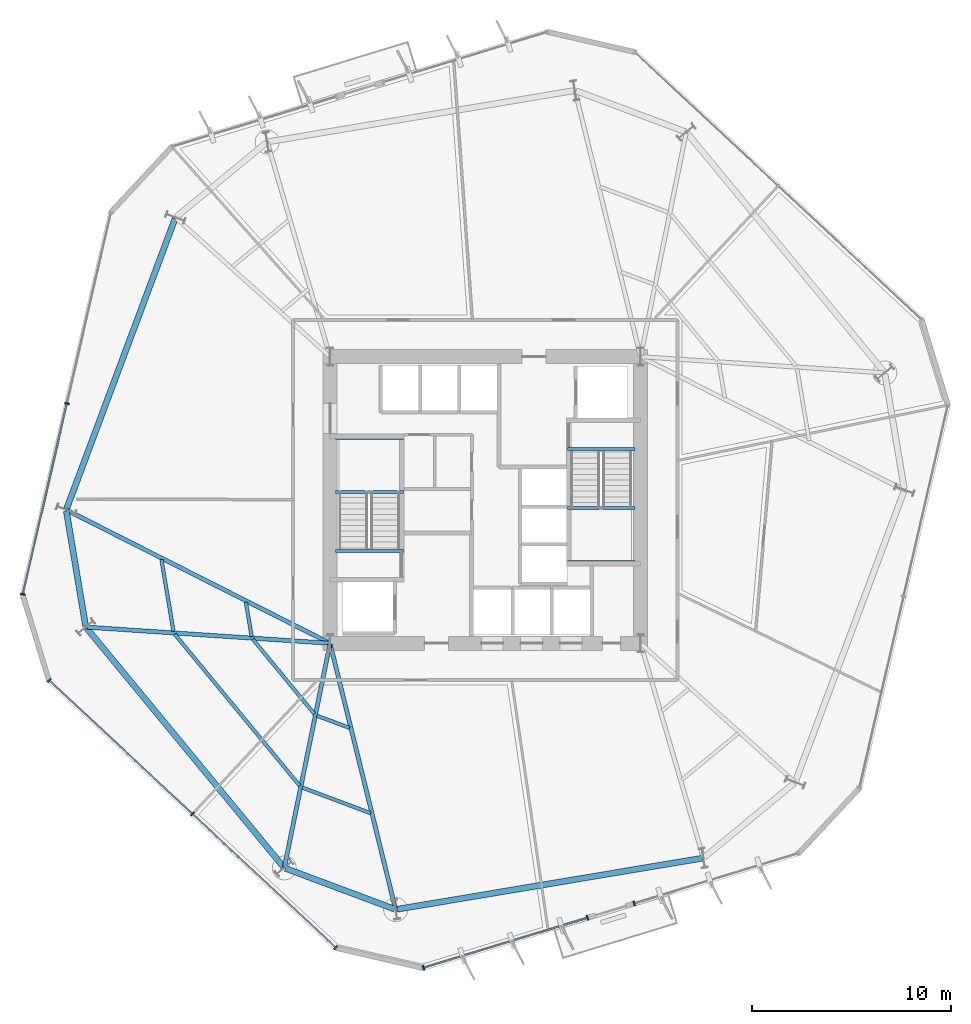
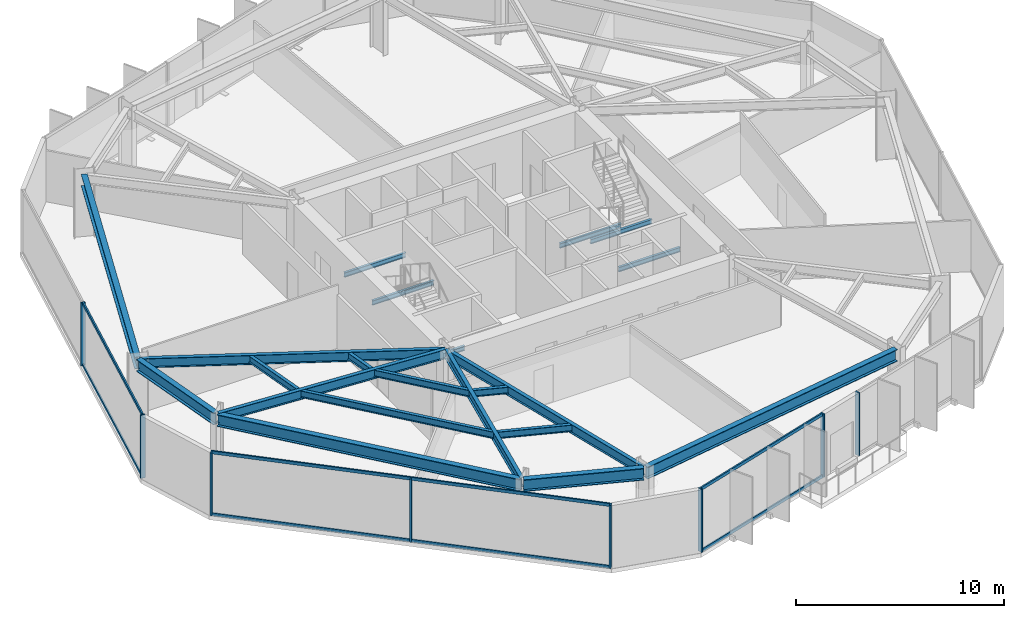
# One storey, part 2 of 9: 21 beams, 16 members, 4 elements without a shape of their own.
"""IFC4 building model written with IfcOpenShell, lengths in metres."""

from ifc_helpers import new_model, si_unit, direction, frame, origin, origin_2d, place, context, subcontext, project, spatial, rectangle, i_section, extrude, material, layer, layer_set, material_profile, profile_set, type_object, element, aggregate, save


model = new_model("IFC4")

# Units and contexts
model_context = context("Model", 3, precision=1e-05, world=origin(), true_north=direction((0.0, 1.0)))
body_context = subcontext(model_context, "Body", "Model", "MODEL_VIEW")
ifc_project = project(units=[si_unit("LENGTHUNIT", "METRE"), si_unit("AREAUNIT", "SQUARE_METRE"), si_unit("VOLUMEUNIT", "CUBIC_METRE"), si_unit("PLANEANGLEUNIT", "RADIAN"), si_unit("MASSUNIT", "GRAM", prefix="KILO")], contexts=[model_context])

# Site, building, storey
site_placement = place(None, origin())
site = spatial("IfcSite", under=ifc_project, at=site_placement, CompositionType="ELEMENT")
building_placement = place(site_placement, origin())
building = spatial("IfcBuilding", under=site, at=building_placement, Name="Kranzbogen Civic Tower", CompositionType="ELEMENT")
storey_placement = place(building_placement, frame((0.0, 0.0, 88.0)))
storey = spatial("IfcBuildingStorey", under=building, at=storey_placement, Name="L21", CompositionType="ELEMENT", Elevation=88.0)

# Curtain wall, members
ifc_material_1 = material(Name="Pale Anodised Aluminium", Category="aluminium")
ifc_layer = layer(ifc_material_1, 0.219970703125, Name="Pale Anodised Aluminium")
ifc_layer_set = layer_set([ifc_layer], Name="Pale Anodised Aluminium")
curtain_wall_type = type_object("IfcCurtainWallType", Name="Zone 1 Stick Curtain Wall System CW-02", PredefinedType="USERDEFINED", material=ifc_layer_set)
curtain_wall_1_placement = place(storey_placement, origin())
curtain_wall_1 = element("IfcCurtainWall", 1, at=curtain_wall_1_placement, inside=storey, type_object=curtain_wall_type, Name="L21 curtain wall CW-L21-F3", ObjectType="STICK CURTAIN WALL", PredefinedType="USERDEFINED")
ifc_material_profile_1 = material_profile(ifc_material_1, rectangle(XDim=0.080078125, YDim=0.239990234375, at=origin_2d()), Name="ALU-M 80x240")
ifc_profile_set_1 = profile_set([ifc_material_profile_1], Name="Pale Anodised Aluminium")
member_type_1 = type_object("IfcMemberType", Name="Curtain Wall Mullion ALU-M 80x240", PredefinedType="MULLION", material=ifc_profile_set_1)
member_1_placement = place(storey_placement, frame((3.97998046875, 29.85302734375, 0.0), z_axis=(0.0, 0.0, 1.0), x_axis=(-0.224977873109, -0.974363872797, 0.0)))
member_1 = element("IfcMember", 2, at=member_1_placement, type_object=member_type_1, Name="CW-02 mullion 2", PredefinedType="MULLION", context=body_context, shape_type="SweptSolid", body=[
    extrude(rectangle(XDim=0.080078125, YDim=0.239990234375, at=origin_2d()), origin(), (0.0, 0.0, 1.0), 3.699951171875),
])
member_2_placement = place(storey_placement, frame((1.765869140625, 20.26318359375, 0.0), z_axis=(0.0, 0.0, 1.0), x_axis=(-0.224977873109, -0.974363872797, 0.0)))
member_2 = element("IfcMember", 3, at=member_2_placement, type_object=member_type_1, Name="CW-02 mullion 3", PredefinedType="MULLION", context=body_context, shape_type="SweptSolid", body=[
    extrude(rectangle(XDim=0.080078125, YDim=0.239990234375, at=origin_2d()), origin(), (0.0, 0.0, 1.0), 3.699951171875),
])

curtain_wall_2_placement = place(storey_placement, origin())
curtain_wall_2 = element("IfcCurtainWall", 4, at=curtain_wall_2_placement, inside=storey, type_object=curtain_wall_type, Name="L21 curtain wall CW-L21-F4", ObjectType="STICK CURTAIN WALL", PredefinedType="USERDEFINED")
member_3_placement = place(storey_placement, frame((3.0888671875, 15.9345703125, 0.0), z_axis=(0.0, 0.0, 1.0), x_axis=(0.731366783593, -0.681984331093, 0.0)))
member_3 = element("IfcMember", 5, at=member_3_placement, type_object=member_type_1, Name="CW-02 mullion 1", PredefinedType="MULLION", context=body_context, shape_type="SweptSolid", body=[
    extrude(rectangle(XDim=0.080078125, YDim=0.239990234375, at=origin_2d()), origin(), (0.0, 0.0, 1.0), 3.699951171875),
])
member_4_placement = place(storey_placement, frame((10.287109375, 9.222412109375, 0.0), z_axis=(0.0, 0.0, 1.0), x_axis=(0.731366783593, -0.681984331093, 0.0)))
member_4 = element("IfcMember", 6, at=member_4_placement, type_object=member_type_1, Name="CW-02 mullion 2", PredefinedType="MULLION", context=body_context, shape_type="SweptSolid", body=[
    extrude(rectangle(XDim=0.080078125, YDim=0.239990234375, at=origin_2d()), origin(), (0.0, 0.0, 1.0), 3.699951171875),
])
member_5_placement = place(storey_placement, frame((17.485107421875, 2.510498046875, 0.0), z_axis=(0.0, 0.0, 1.0), x_axis=(0.731366783593, -0.681984331093, 0.0)))
member_5 = element("IfcMember", 7, at=member_5_placement, type_object=member_type_1, Name="CW-02 mullion 3", PredefinedType="MULLION", context=body_context, shape_type="SweptSolid", body=[
    extrude(rectangle(XDim=0.080078125, YDim=0.239990234375, at=origin_2d()), origin(), (0.0, 0.0, 1.0), 3.699951171875),
])

curtain_wall_3_placement = place(storey_placement, origin())
curtain_wall_3 = element("IfcCurtainWall", 8, at=curtain_wall_3_placement, inside=storey, type_object=curtain_wall_type, Name="L21 curtain wall CW-L21-F5-S1", ObjectType="STICK CURTAIN WALL", PredefinedType="USERDEFINED")
member_6_placement = place(storey_placement, frame((21.894775390625, 1.49267578125, 0.0), z_axis=(0.0, 0.0, 1.0), x_axis=(0.956296060209, 0.29240014574, 0.0)))
member_6 = element("IfcMember", 9, at=member_6_placement, type_object=member_type_1, Name="CW-02 mullion 1", PredefinedType="MULLION", context=body_context, shape_type="SweptSolid", body=[
    extrude(rectangle(XDim=0.080078125, YDim=0.239990234375, at=origin_2d()), origin(), (0.0, 0.0, 1.0), 3.699951171875),
])
member_7_placement = place(storey_placement, frame((30.13134765625, 4.01123046875, 0.0), z_axis=(0.0, 0.0, 1.0), x_axis=(0.956296060209, 0.29240014574, 0.0)))
member_7 = element("IfcMember", 10, at=member_7_placement, type_object=member_type_1, Name="CW-02 mullion 2", PredefinedType="MULLION", context=body_context, shape_type="SweptSolid", body=[
    extrude(rectangle(XDim=0.080078125, YDim=0.239990234375, at=origin_2d()), origin(), (0.0, 0.0, 1.0), 3.699951171875),
])

# Curtain wall, member
curtain_wall_4_placement = place(storey_placement, origin())
curtain_wall_4 = element("IfcCurtainWall", 11, at=curtain_wall_4_placement, inside=storey, type_object=curtain_wall_type, Name="L21 curtain wall CW-L21-F5-S2", ObjectType="STICK CURTAIN WALL", PredefinedType="USERDEFINED")
member_8_placement = place(storey_placement, frame((32.483642578125, 4.730712890625, 0.0), z_axis=(0.0, 0.0, 1.0), x_axis=(0.956318442996, 0.292326932707, 0.0)))
member_8 = element("IfcMember", 12, at=member_8_placement, type_object=member_type_1, Name="CW-02 mullion 1", PredefinedType="MULLION", context=body_context, shape_type="SweptSolid", body=[
    extrude(rectangle(XDim=0.080078125, YDim=0.239990234375, at=origin_2d()), origin(), (0.0, 0.0, 1.0), 3.699951171875),
])
aggregate(curtain_wall_4, [member_8])

# Member
ifc_material_profile_2 = material_profile(ifc_material_1, rectangle(XDim=0.080078125, YDim=0.179931640625, at=origin_2d()), Name="ALU-T 80x180")
ifc_profile_set_2 = profile_set([ifc_material_profile_2], Name="Pale Anodised Aluminium")
member_type_2 = type_object("IfcMemberType", Name="Curtain Wall Transom ALU-T 80x180", PredefinedType="USERDEFINED", material=ifc_profile_set_2)
member_9_placement = place(storey_placement, frame((3.97314453125, 29.82373046875, 0.030029296875), z_axis=(-0.224972517809, -0.974365109305, 0.0), x_axis=(0.974365109305, -0.224972517809, 0.0)))
member_9 = element("IfcMember", 13, at=member_9_placement, type_object=member_type_2, Name="CW-02 transom 2.1", ObjectType="TRANSOM", PredefinedType="USERDEFINED", context=body_context, shape_type="SweptSolid", body=[
    extrude(rectangle(XDim=0.080078125, YDim=0.179931640625, at=origin_2d()), origin(), (0.0, 0.0, 1.0), 9.781982421875),
])

member_10_placement = place(storey_placement, frame((3.97314453125, 29.82373046875, 3.669921875), z_axis=(-0.224972517809, -0.974365109305, 0.0), x_axis=(0.974365109305, -0.224972517809, 0.0)))
member_10 = element("IfcMember", 14, at=member_10_placement, type_object=member_type_2, Name="CW-02 transom 2.2", ObjectType="TRANSOM", PredefinedType="USERDEFINED", context=body_context, shape_type="SweptSolid", body=[
    extrude(rectangle(XDim=0.080078125, YDim=0.179931640625, at=origin_2d()), origin(), (0.0, 0.0, 1.0), 9.781982421875),
])

aggregate(curtain_wall_1, [member_1, member_2, member_9, member_10])

member_11_placement = place(storey_placement, frame((3.11083984375, 15.9140625, 0.030029296875), z_axis=(0.731371404385, -0.681979375676, 0.0), x_axis=(0.681979375676, 0.731371404385, 0.0)))
member_11 = element("IfcMember", 15, at=member_11_placement, type_object=member_type_2, Name="CW-02 transom 1.1", ObjectType="TRANSOM", PredefinedType="USERDEFINED", context=body_context, shape_type="SweptSolid", body=[
    extrude(rectangle(XDim=0.080078125, YDim=0.179931640625, at=origin_2d()), origin(), (0.0, 0.0, 1.0), 9.781982421875),
])

member_12_placement = place(storey_placement, frame((3.11083984375, 15.9140625, 3.669921875), z_axis=(0.731371404385, -0.681979375676, 0.0), x_axis=(0.681979375676, 0.731371404385, 0.0)))
member_12 = element("IfcMember", 16, at=member_12_placement, type_object=member_type_2, Name="CW-02 transom 1.2", ObjectType="TRANSOM", PredefinedType="USERDEFINED", context=body_context, shape_type="SweptSolid", body=[
    extrude(rectangle(XDim=0.080078125, YDim=0.179931640625, at=origin_2d()), origin(), (0.0, 0.0, 1.0), 9.781982421875),
])

member_13_placement = place(storey_placement, frame((10.308837890625, 9.2021484375, 0.030029296875), z_axis=(0.731371404385, -0.681979375676, 0.0), x_axis=(0.681979375676, 0.731371404385, 0.0)))
member_13 = element("IfcMember", 17, at=member_13_placement, type_object=member_type_2, Name="CW-02 transom 2.1", ObjectType="TRANSOM", PredefinedType="USERDEFINED", context=body_context, shape_type="SweptSolid", body=[
    extrude(rectangle(XDim=0.080078125, YDim=0.179931640625, at=origin_2d()), origin(), (0.0, 0.0, 1.0), 9.781982421875),
])

member_14_placement = place(storey_placement, frame((10.308837890625, 9.2021484375, 3.669921875), z_axis=(0.731371404385, -0.681979375676, 0.0), x_axis=(0.681979375676, 0.731371404385, 0.0)))
member_14 = element("IfcMember", 18, at=member_14_placement, type_object=member_type_2, Name="CW-02 transom 2.2", ObjectType="TRANSOM", PredefinedType="USERDEFINED", context=body_context, shape_type="SweptSolid", body=[
    extrude(rectangle(XDim=0.080078125, YDim=0.179931640625, at=origin_2d()), origin(), (0.0, 0.0, 1.0), 9.781982421875),
])

aggregate(curtain_wall_2, [member_3, member_4, member_5, member_11, member_12, member_13, member_14])

member_15_placement = place(storey_placement, frame((21.92333984375, 1.50146484375, 0.030029296875), z_axis=(0.956293496514, 0.292408530186, 0.0), x_axis=(-0.292408530186, 0.956293496514, 0.0)))
member_15 = element("IfcMember", 19, at=member_15_placement, type_object=member_type_2, Name="CW-02 transom 1.1", ObjectType="TRANSOM", PredefinedType="USERDEFINED", context=body_context, shape_type="SweptSolid", body=[
    extrude(rectangle(XDim=0.080078125, YDim=0.179931640625, at=origin_2d()), origin(), (0.0, 0.0, 1.0), 8.552978515625),
])

member_16_placement = place(storey_placement, frame((21.92333984375, 1.50146484375, 3.669921875), z_axis=(0.956293496514, 0.292408530186, 0.0), x_axis=(-0.292408530186, 0.956293496514, 0.0)))
member_16 = element("IfcMember", 20, at=member_16_placement, type_object=member_type_2, Name="CW-02 transom 1.2", ObjectType="TRANSOM", PredefinedType="USERDEFINED", context=body_context, shape_type="SweptSolid", body=[
    extrude(rectangle(XDim=0.080078125, YDim=0.179931640625, at=origin_2d()), origin(), (0.0, 0.0, 1.0), 8.552978515625),
])

aggregate(curtain_wall_3, [member_6, member_7, member_15, member_16])

# Beams
ifc_material_2 = material(Name="Steel S355", Category="steel")
ifc_material_profile_3 = material_profile(ifc_material_2, i_section(OverallWidth=0.300048828125, OverallDepth=0.699951171875, WebThickness=0.01708984375, FlangeThickness=0.031982421875, at=origin_2d()), Name="HEB 700")
ifc_profile_set_3 = profile_set([ifc_material_profile_3], Name="Steel S355")
beam_type_1 = type_object("IfcBeamType", Name="Perimeter Tube Spandrel Beam HEB 700", PredefinedType="SPANDREL", material=ifc_profile_set_3)
beam_1_placement = place(storey_placement, frame((3.952880859375, 24.445068359375, 3.35009765625), z_axis=(0.164913116942, -0.986308097838, 0.0), x_axis=(0.986308097838, 0.164913116942, 0.0)))
element("IfcBeam", 21, at=beam_1_placement, inside=storey, type_object=beam_type_1, Name="L21 perimeter spandrel beam 01", PredefinedType="SPANDREL", context=body_context, shape_type="SweptSolid", body=[
    extrude(i_section(OverallWidth=0.300048828125, OverallDepth=0.699951171875, WebThickness=0.01708984375, FlangeThickness=0.031982421875, at=origin_2d()), origin(), (0.0, 0.0, 1.0), 5.85205078125),
])
beam_2_placement = place(storey_placement, frame((4.966064453125, 18.568115234375, 3.35009765625), z_axis=(0.636074572579, -0.771627590304, 0.0), x_axis=(0.771627590304, 0.636074572579, 0.0)))
element("IfcBeam", 22, at=beam_2_placement, inside=storey, type_object=beam_type_1, Name="L21 perimeter spandrel beam 02", PredefinedType="SPANDREL", context=body_context, shape_type="SweptSolid", body=[
    extrude(i_section(OverallWidth=0.300048828125, OverallDepth=0.699951171875, WebThickness=0.01708984375, FlangeThickness=0.031982421875, at=origin_2d()), origin(), (0.0, 0.0, 1.0), 15.5595703125),
])
beam_3_placement = place(storey_placement, frame((14.95703125, 6.4951171875, 3.35009765625), z_axis=(0.936647646965, -0.350273015568, 0.0), x_axis=(0.350273015568, 0.936647646965, 0.0)))
element("IfcBeam", 23, at=beam_3_placement, inside=storey, type_object=beam_type_1, Name="L21 perimeter spandrel beam 03", PredefinedType="SPANDREL", context=body_context, shape_type="SweptSolid", body=[
    extrude(i_section(OverallWidth=0.300048828125, OverallDepth=0.699951171875, WebThickness=0.01708984375, FlangeThickness=0.031982421875, at=origin_2d()), origin(), (0.0, 0.0, 1.0), 5.852783203125),
])
beam_4_placement = place(storey_placement, frame((20.553955078125, 4.43408203125, 3.35009765625), z_axis=(0.986285563243, 0.165047834697, 0.0), x_axis=(-0.165047834697, 0.986285563243, 0.0)))
element("IfcBeam", 24, at=beam_4_placement, inside=storey, type_object=beam_type_1, Name="L21 perimeter spandrel beam 04", PredefinedType="SPANDREL", context=body_context, shape_type="SweptSolid", body=[
    extrude(i_section(OverallWidth=0.300048828125, OverallDepth=0.699951171875, WebThickness=0.01708984375, FlangeThickness=0.031982421875, at=origin_2d()), origin(), (0.0, 0.0, 1.0), 15.558349609375),
])
beam_5_placement = place(storey_placement, frame((9.412109375, 39.133056640625, 3.35009765625), z_axis=(-0.350172267932, -0.936685316833, 0.0), x_axis=(0.936685316833, -0.350172267932, 0.0)))
element("IfcBeam", 25, at=beam_5_placement, inside=storey, type_object=beam_type_1, Name="L21 perimeter spandrel beam 12", PredefinedType="SPANDREL", context=body_context, shape_type="SweptSolid", body=[
    extrude(i_section(OverallWidth=0.300048828125, OverallDepth=0.699951171875, WebThickness=0.01708984375, FlangeThickness=0.031982421875, at=origin_2d()), origin(), (0.0, 0.0, 1.0), 15.55810546875),
])
ifc_material_profile_4 = material_profile(ifc_material_2, i_section(OverallWidth=0.2099609375, OverallDepth=0.550048828125, WebThickness=0.010986328125, FlangeThickness=0.01708984375, at=origin_2d()), Name="IPE 550")
ifc_profile_set_4 = profile_set([ifc_material_profile_4], Name="Steel S355")
beam_type_2 = type_object("IfcBeamType", Name="Radial Tower Floor Girder IPE 550", PredefinedType="BEAM", material=ifc_profile_set_4)
beam_6_placement = place(storey_placement, frame((3.9970703125, 24.47705078125, 3.425048828125), z_axis=(0.892363219254, -0.451317942168, 0.0), x_axis=(0.451317942168, 0.892363219254, 0.0)))
element("IfcBeam", 26, at=beam_6_placement, inside=storey, type_object=beam_type_2, Name="L21 radial floor girder 01", PredefinedType="BEAM", context=body_context, shape_type="SweptSolid", body=[
    extrude(i_section(OverallWidth=0.2099609375, OverallDepth=0.550048828125, WebThickness=0.010986328125, FlangeThickness=0.01708984375, at=origin_2d()), origin(), (0.0, 0.0, 1.0), 14.73486328125),
])
beam_7_placement = place(storey_placement, frame((4.988037109375, 18.610107421875, 3.425048828125), z_axis=(0.99780674843, -0.066194356156, 0.0), x_axis=(0.066194356156, 0.99780674843, 0.0)))
element("IfcBeam", 27, at=beam_7_placement, inside=storey, type_object=beam_type_2, Name="L21 radial floor girder 02", PredefinedType="BEAM", context=body_context, shape_type="SweptSolid", body=[
    extrude(i_section(OverallWidth=0.2099609375, OverallDepth=0.550048828125, WebThickness=0.010986328125, FlangeThickness=0.01708984375, at=origin_2d()), origin(), (0.0, 0.0, 1.0), 12.178466796875),
])
beam_8_placement = place(storey_placement, frame((14.9130859375, 6.574951171875, 3.425048828125), z_axis=(0.199633433694, 0.979870650725, 0.0), x_axis=(-0.979870650725, 0.199633433694, 0.0)))
element("IfcBeam", 28, at=beam_8_placement, inside=storey, type_object=beam_type_2, Name="L21 radial floor girder 03", PredefinedType="BEAM", context=body_context, shape_type="SweptSolid", body=[
    extrude(i_section(OverallWidth=0.2099609375, OverallDepth=0.550048828125, WebThickness=0.010986328125, FlangeThickness=0.01708984375, at=origin_2d()), origin(), (0.0, 0.0, 1.0), 11.3955078125),
])
beam_9_placement = place(storey_placement, frame((20.48095703125, 4.48193359375, 3.425048828125), z_axis=(-0.239215348776, 0.970966537482, 0.0), x_axis=(-0.970966537482, -0.239215348776, 0.0)))
element("IfcBeam", 29, at=beam_9_placement, inside=storey, type_object=beam_type_2, Name="L21 radial floor girder 04", PredefinedType="BEAM", context=body_context, shape_type="SweptSolid", body=[
    extrude(i_section(OverallWidth=0.2099609375, OverallDepth=0.550048828125, WebThickness=0.010986328125, FlangeThickness=0.01708984375, at=origin_2d()), origin(), (0.0, 0.0, 1.0), 13.656494140625),
])
ifc_material_profile_5 = material_profile(ifc_material_2, i_section(OverallWidth=0.179931640625, OverallDepth=0.39990234375, WebThickness=0.008544921875, FlangeThickness=0.013427734375, at=origin_2d()), Name="IPE 400")
ifc_profile_set_5 = profile_set([ifc_material_profile_5], Name="Steel S355")
beam_type_3 = type_object("IfcBeamType", Name="Secondary Composite Floor Joist IPE 400", PredefinedType="JOIST", material=ifc_profile_set_5)
beam_10_placement = place(storey_placement, frame((8.72900390625, 22.011962890625, 3.5), z_axis=(0.164928678379, -0.986305495802, 0.0), x_axis=(0.986305495802, 0.164928678379, 0.0)))
element("IfcBeam", 30, at=beam_10_placement, inside=storey, type_object=beam_type_3, Name="L21 secondary floor joist 1.01", PredefinedType="JOIST", context=body_context, shape_type="SweptSolid", body=[
    extrude(i_section(OverallWidth=0.179931640625, OverallDepth=0.39990234375, WebThickness=0.008544921875, FlangeThickness=0.013427734375, at=origin_2d()), origin(), (0.0, 0.0, 1.0), 3.662109375),
])
beam_11_placement = place(storey_placement, frame((12.970947265625, 19.865966796875, 3.5), z_axis=(0.165077224104, -0.986280644686, 0.0), x_axis=(0.986280644686, 0.165077224104, 0.0)))
element("IfcBeam", 31, at=beam_11_placement, inside=storey, type_object=beam_type_3, Name="L21 secondary floor joist 2.01", PredefinedType="JOIST", context=body_context, shape_type="SweptSolid", body=[
    extrude(i_section(OverallWidth=0.179931640625, OverallDepth=0.39990234375, WebThickness=0.008544921875, FlangeThickness=0.013427734375, at=origin_2d()), origin(), (0.0, 0.0, 1.0), 1.7509765625),
])
beam_12_placement = place(storey_placement, frame((9.39697265625, 18.259033203125, 3.5), z_axis=(0.636094561772, -0.771611112209, 0.0), x_axis=(0.771611112209, 0.636094561772, 0.0)))
element("IfcBeam", 32, at=beam_12_placement, inside=storey, type_object=beam_type_3, Name="L21 secondary floor joist 1.02", PredefinedType="JOIST", context=body_context, shape_type="SweptSolid", body=[
    extrude(i_section(OverallWidth=0.179931640625, OverallDepth=0.39990234375, WebThickness=0.008544921875, FlangeThickness=0.013427734375, at=origin_2d()), origin(), (0.0, 0.0, 1.0), 9.874267578125),
])
beam_13_placement = place(storey_placement, frame((13.323974609375, 17.9990234375, 3.5), z_axis=(0.636012010413, -0.771679157818, 0.0), x_axis=(0.771679157818, 0.636012010413, 0.0)))
element("IfcBeam", 33, at=beam_13_placement, inside=storey, type_object=beam_type_3, Name="L21 secondary floor joist 2.02", PredefinedType="JOIST", context=body_context, shape_type="SweptSolid", body=[
    extrude(i_section(OverallWidth=0.179931640625, OverallDepth=0.39990234375, WebThickness=0.008544921875, FlangeThickness=0.013427734375, at=origin_2d()), origin(), (0.0, 0.0, 1.0), 4.85693359375),
])
beam_14_placement = place(storey_placement, frame((15.803955078125, 10.550048828125, 3.5), z_axis=(0.936622008794, -0.350341565678, 0.0), x_axis=(0.350341565678, 0.936622008794, 0.0)))
element("IfcBeam", 34, at=beam_14_placement, inside=storey, type_object=beam_type_3, Name="L21 secondary floor joist 1.03", PredefinedType="JOIST", context=body_context, shape_type="SweptSolid", body=[
    extrude(i_section(OverallWidth=0.179931640625, OverallDepth=0.39990234375, WebThickness=0.008544921875, FlangeThickness=0.013427734375, at=origin_2d()), origin(), (0.0, 0.0, 1.0), 3.662109375),
])
beam_15_placement = place(storey_placement, frame((16.5390625, 14.160888671875, 3.5), z_axis=(0.936735458815, -0.350038112495, 0.0), x_axis=(0.350038112495, 0.936735458815, 0.0)))
element("IfcBeam", 35, at=beam_15_placement, inside=storey, type_object=beam_type_3, Name="L21 secondary floor joist 2.03", PredefinedType="JOIST", context=body_context, shape_type="SweptSolid", body=[
    extrude(i_section(OverallWidth=0.179931640625, OverallDepth=0.39990234375, WebThickness=0.008544921875, FlangeThickness=0.013427734375, at=origin_2d()), origin(), (0.0, 0.0, 1.0), 1.750732421875),
])
ifc_material_profile_6 = material_profile(ifc_material_2, i_section(OverallWidth=0.135009765625, OverallDepth=0.27001953125, WebThickness=0.006591796875, FlangeThickness=0.01025390625, at=origin_2d()), Name="IPE 270")
ifc_profile_set_6 = profile_set([ifc_material_profile_6], Name="Steel S355")
beam_type_4 = type_object("IfcBeamType", Name="Stair Landing Support Beam IPE 270", PredefinedType="JOIST", material=ifc_profile_set_6)
for number, where, z_axis, x_axis, name in (
    (36, (20.8798828125, 22.43994140625, -0.375), (-1.0, 0.0, 0.0), (0.0, -1.0, 0.0), "L21 ST-T1 stair floor header beam"),
    (37, (20.8798828125, 25.39990234375, 1.6650390625), (-1.0, 0.0, 0.0), (0.0, -1.0, 0.0), "L21 ST-T1 landing support beam 1.1"),
    (38, (20.8798828125, 28.10009765625, 1.6650390625), (-1.0, 0.0, 0.0), (0.0, -1.0, 0.0), "L21 ST-T1 landing support beam 1.2"),
    (39, (29.1201171875, 27.56005859375, -0.375), (1.0, 0.0, 0.0), (0.0, 1.0, 0.0), "L21 ST-T2 stair floor header beam"),
    (40, (29.1201171875, 24.60009765625, 1.6650390625), (1.0, 0.0, 0.0), (0.0, 1.0, 0.0), "L21 ST-T2 landing support beam 1.1"),
    (41, (29.1201171875, 21.89990234375, 1.6650390625), (1.0, 0.0, 0.0), (0.0, 1.0, 0.0), "L21 ST-T2 landing support beam 1.2"),
):
    element("IfcBeam", number, at=place(storey_placement, frame(where, z_axis=z_axis, x_axis=x_axis)), inside=storey, type_object=beam_type_4, Name=name, PredefinedType="JOIST", context=body_context, shape_type="SweptSolid", body=[
        extrude(i_section(OverallWidth=0.135009765625, OverallDepth=0.27001953125, WebThickness=0.006591796875, FlangeThickness=0.01025390625, at=origin_2d()), origin(), (0.0, 0.0, 1.0), 3.409912109375),
    ])

save(model, "model.ifc")
